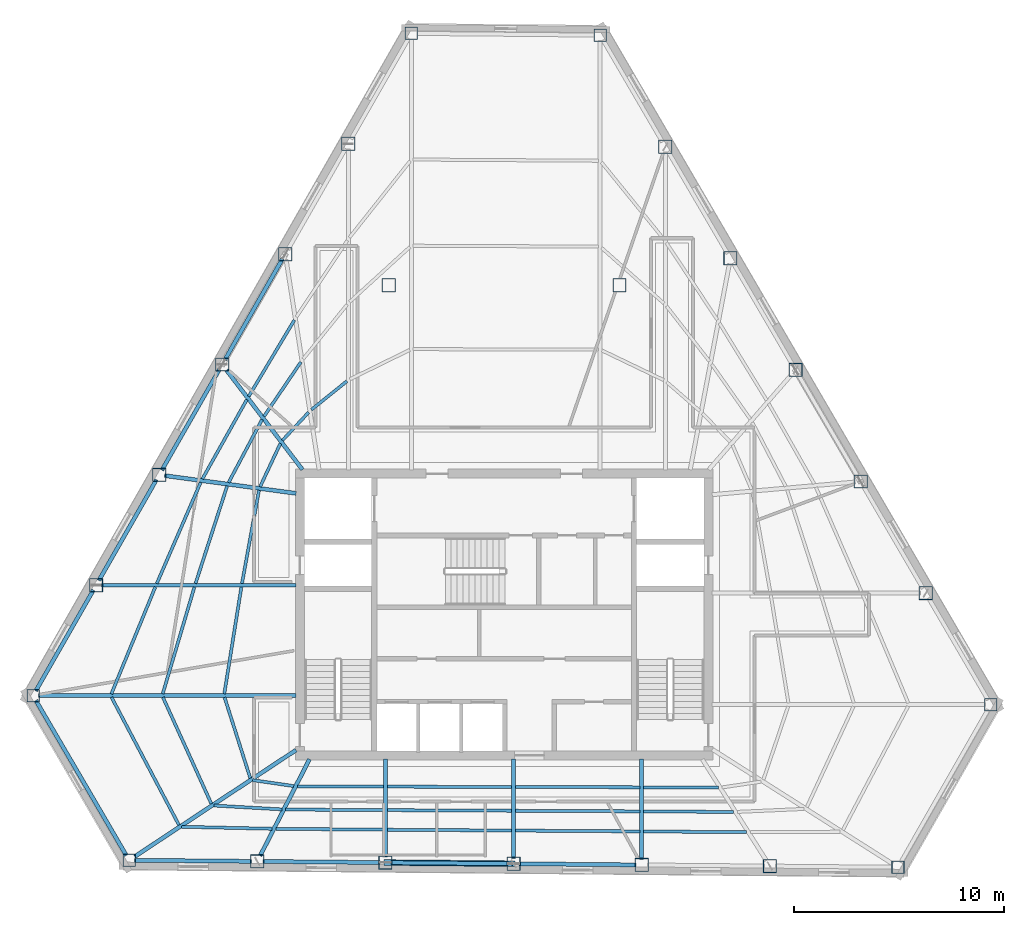
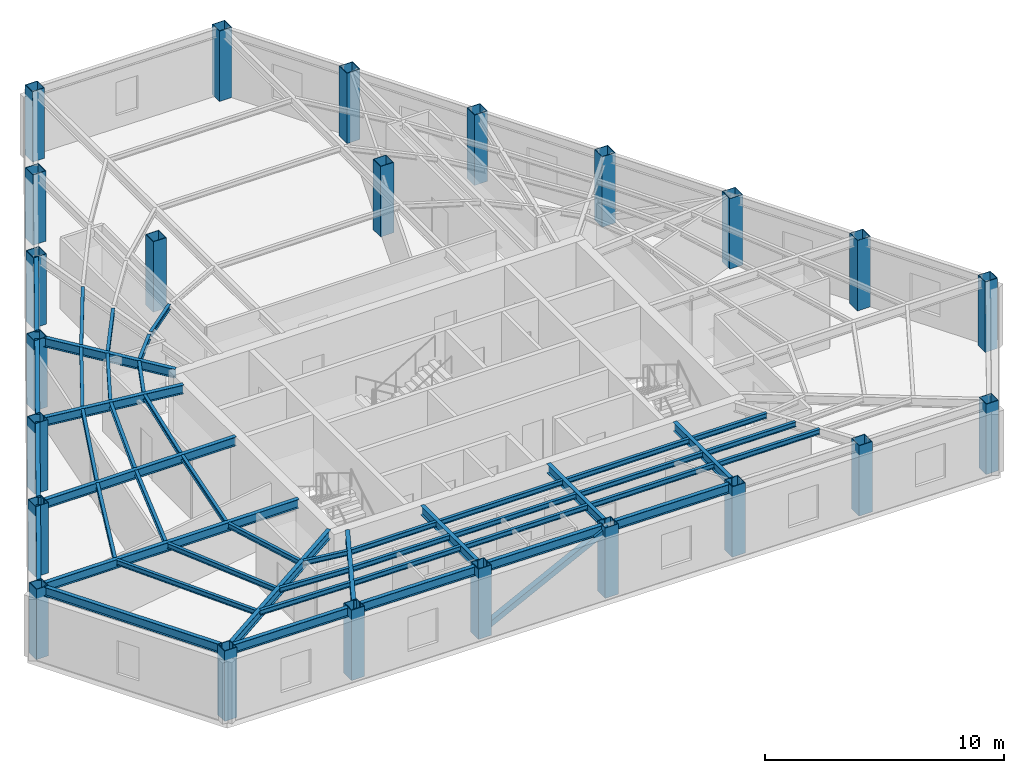
# One storey, part 1 of 10: 49 beams, 23 columns, 1 member.
"""IFC4 building model written with IfcOpenShell, lengths in metres."""

from ifc_helpers import new_model, si_unit, direction, frame, origin, origin_2d, place, context, subcontext, project, spatial, hollow_rectangle, i_section, extrude, material, material_profile, profile_set, type_object, element, save


model = new_model("IFC4")

# Units and contexts
model_context = context("Model", 3, precision=1e-05, world=origin(), true_north=direction((0.0, 1.0)))
body_context = subcontext(model_context, "Body", "Model", "MODEL_VIEW")
ifc_project = project(units=[si_unit("LENGTHUNIT", "METRE"), si_unit("AREAUNIT", "SQUARE_METRE"), si_unit("VOLUMEUNIT", "CUBIC_METRE"), si_unit("PLANEANGLEUNIT", "RADIAN"), si_unit("MASSUNIT", "GRAM", prefix="KILO")], contexts=[model_context])

# Site, building, storey
site_placement = place(None, origin())
site = spatial("IfcSite", under=ifc_project, at=site_placement, CompositionType="ELEMENT")
building_placement = place(site_placement, origin())
building = spatial("IfcBuilding", under=site, at=building_placement, Name="Kavelnor Concourse Tower", CompositionType="ELEMENT")
storey_placement = place(building_placement, frame((0.0, 0.0, 180.39990234375)))
storey = spatial("IfcBuildingStorey", under=building, at=storey_placement, Name="L45", CompositionType="ELEMENT", Elevation=180.39990234375)

# Columns
ifc_material = material(Name="Steel Grade 350", Category="steel")
ifc_material_profile_1 = material_profile(ifc_material, hollow_rectangle(XDim=0.60009765625, YDim=0.60009765625, WallThickness=0.028076171875, at=origin_2d()), Name="SHS 600x600x28")
ifc_profile_set_1 = profile_set([ifc_material_profile_1], Name="Steel Grade 350")
column_type_1 = type_object("IfcColumnType", Name="COL-FOLD-Z3", PredefinedType="COLUMN", material=ifc_profile_set_1)
for number, where, z_axis, x_axis, name in (
    (1, (33.572265625, 43.81005859375, 0.0), (0.0, 0.0, 1.0), (1.0, 0.0, 0.0), "L45 Perimeter Corner-Fold Column F0-B0"),
    (2, (15.53515625, 12.23291015625, 0.0), (0.0, 0.0, 1.0), (1.0, 0.0, 0.0), "L45 Perimeter Corner-Fold Column F0-B6"),
    (3, (20.11474609375, 4.38330078125, 0.0), (0.0, 0.0, 1.0), (1.0, 0.0, 0.0), "L45 Perimeter Corner-Fold Column F1-B0"),
    (4, (56.77978515625, 4.04736328125, 0.0), (0.0, 0.0, 1.0), (1.0, 0.0, 0.0), "L45 Perimeter Corner-Fold Column F1-B6"),
    (5, (61.207763671875, 11.799072265625, 0.0), (0.0, 0.0, 1.0), (1.0, 0.0, 0.0), "L45 Perimeter Corner-Fold Column F2-B0"),
    (6, (42.57958984375, 43.727294921875, 0.0), (0.0, 0.0, 1.0), (1.0, 0.0, 0.0), "L45 Perimeter Corner-Fold Column F2-B6"),
):
    element("IfcColumn", number, at=place(storey_placement, frame(where, z_axis=z_axis, x_axis=x_axis)), inside=storey, type_object=column_type_1, Name=name, PredefinedType="COLUMN", context=body_context, shape_type="SweptSolid", body=[
        extrude(hollow_rectangle(XDim=0.60009765625, YDim=0.60009765625, WallThickness=0.028076171875, at=origin_2d()), origin(), (0.0, 0.0, 1.0), 3.60009765625),
    ])
ifc_material_profile_2 = material_profile(ifc_material, hollow_rectangle(XDim=0.639892578125, YDim=0.639892578125, WallThickness=0.028076171875, at=origin_2d()), Name="SHS 640x640x28")
ifc_profile_set_2 = profile_set([ifc_material_profile_2], Name="Steel Grade 350")
column_type_2 = type_object("IfcColumnType", Name="COL-TUBE-Z3", PredefinedType="COLUMN", material=ifc_profile_set_2)
for number, where, z_axis, x_axis, name in (
    (7, (30.56591796875, 38.547119140625, 0.0), (0.0, 0.0, 1.0), (1.0, 0.0, 0.0), "L45 Perimeter Framed-Tube Column F0-B1"),
    (8, (27.559814453125, 33.2841796875, 0.0), (0.0, 0.0, 1.0), (1.0, 0.0, 0.0), "L45 Perimeter Framed-Tube Column F0-B2"),
    (9, (24.5537109375, 28.021484375, 0.0), (0.0, 0.0, 1.0), (1.0, 0.0, 0.0), "L45 Perimeter Framed-Tube Column F0-B3"),
    (10, (21.547607421875, 22.758544921875, 0.0), (0.0, 0.0, 1.0), (1.0, 0.0, 0.0), "L45 Perimeter Framed-Tube Column F0-B4"),
    (11, (18.54150390625, 17.495849609375, 0.0), (0.0, 0.0, 1.0), (1.0, 0.0, 0.0), "L45 Perimeter Framed-Tube Column F0-B5"),
    (12, (26.2255859375, 4.327392578125, 0.0), (0.0, 0.0, 1.0), (1.0, 0.0, 0.0), "L45 Perimeter Framed-Tube Column F1-B1"),
    (13, (32.33642578125, 4.271484375, 0.0), (0.0, 0.0, 1.0), (1.0, 0.0, 0.0), "L45 Perimeter Framed-Tube Column F1-B2"),
    (14, (38.447509765625, 4.21533203125, 0.0), (0.0, 0.0, 1.0), (1.0, 0.0, 0.0), "L45 Perimeter Framed-Tube Column F1-B3"),
    (15, (44.55810546875, 4.1591796875, 0.0), (0.0, 0.0, 1.0), (1.0, 0.0, 0.0), "L45 Perimeter Framed-Tube Column F1-B4"),
    (16, (50.6689453125, 4.103271484375, 0.0), (0.0, 0.0, 1.0), (1.0, 0.0, 0.0), "L45 Perimeter Framed-Tube Column F1-B5"),
    (17, (58.10302734375, 17.120361328125, 0.0), (0.0, 0.0, 1.0), (1.0, 0.0, 0.0), "L45 Perimeter Framed-Tube Column F2-B1"),
    (18, (54.998291015625, 22.44189453125, 0.0), (0.0, 0.0, 1.0), (1.0, 0.0, 0.0), "L45 Perimeter Framed-Tube Column F2-B2"),
    (19, (51.893798828125, 27.76318359375, 0.0), (0.0, 0.0, 1.0), (1.0, 0.0, 0.0), "L45 Perimeter Framed-Tube Column F2-B3"),
    (20, (48.7890625, 33.084716796875, 0.0), (0.0, 0.0, 1.0), (1.0, 0.0, 0.0), "L45 Perimeter Framed-Tube Column F2-B4"),
    (21, (45.684326171875, 38.406005859375, 0.0), (0.0, 0.0, 1.0), (1.0, 0.0, 0.0), "L45 Perimeter Framed-Tube Column F2-B5"),
    (22, (32.5, 31.800048828125, 0.0), (0.0, 0.0, 1.0), (1.0, 0.0, 0.0), "L45 North Interior Gravity Column BC-NW"),
    (23, (43.5, 31.800048828125, 0.0), (0.0, 0.0, 1.0), (1.0, 0.0, 0.0), "L45 North Interior Gravity Column BC-NE"),
):
    element("IfcColumn", number, at=place(storey_placement, frame(where, z_axis=z_axis, x_axis=x_axis)), inside=storey, type_object=column_type_2, Name=name, PredefinedType="COLUMN", context=body_context, shape_type="SweptSolid", body=[
        extrude(hollow_rectangle(XDim=0.639892578125, YDim=0.639892578125, WallThickness=0.028076171875, at=origin_2d()), origin(), (0.0, 0.0, 1.0), 3.60009765625),
    ])

# Beams
ifc_material_profile_3 = material_profile(ifc_material, i_section(OverallWidth=0.14599609375, OverallDepth=0.256103515625, WebThickness=0.00634765625, FlangeThickness=0.010986328125, at=origin_2d()), Name="250UB37")
ifc_profile_set_3 = profile_set([ifc_material_profile_3], Name="Steel Grade 350")
beam_type_1 = type_object("IfcBeamType", Name="BM-JOIST-250", PredefinedType="JOIST", material=ifc_profile_set_3)
beam_1_placement = place(storey_placement, frame((24.667236328125, 12.148193359375, 3.47216796875), z_axis=(0.303430728848, -0.952853500173, 0.0), x_axis=(0.952853500173, 0.303430728848, 0.0)))
element("IfcBeam", 24, at=beam_1_placement, inside=storey, type_object=beam_type_1, Name="L45 Secondary Composite Joist 01-1", PredefinedType="JOIST", context=body_context, shape_type="SweptSolid", body=[
    extrude(i_section(OverallWidth=0.14599609375, OverallDepth=0.256103515625, WebThickness=0.00634765625, FlangeThickness=0.010986328125, at=origin_2d()), origin(), (0.0, 0.0, 1.0), 4.038330078125),
])
beam_2_placement = place(storey_placement, frame((21.728759765625, 12.15185546875, 3.47216796875), z_axis=(0.414027324102, -0.910264453275, 0.0), x_axis=(0.910264453275, 0.414027324102, 0.0)))
element("IfcBeam", 25, at=beam_2_placement, inside=storey, type_object=beam_type_1, Name="L45 Secondary Composite Joist 01-2", PredefinedType="JOIST", context=body_context, shape_type="SweptSolid", body=[
    extrude(i_section(OverallWidth=0.14599609375, OverallDepth=0.256103515625, WebThickness=0.00634765625, FlangeThickness=0.010986328125, at=origin_2d()), origin(), (0.0, 0.0, 1.0), 5.57421875),
])
beam_3_placement = place(storey_placement, frame((19.276611328125, 12.154296875, 3.47216796875), z_axis=(0.466816344471, -0.884354284512, 0.0), x_axis=(0.884354284512, 0.466816344471, 0.0)))
element("IfcBeam", 26, at=beam_3_placement, inside=storey, type_object=beam_type_1, Name="L45 Secondary Composite Joist 01-3", PredefinedType="JOIST", context=body_context, shape_type="SweptSolid", body=[
    extrude(i_section(OverallWidth=0.14599609375, OverallDepth=0.256103515625, WebThickness=0.00634765625, FlangeThickness=0.010986328125, at=origin_2d()), origin(), (0.0, 0.0, 1.0), 6.891357421875),
])
beam_4_placement = place(storey_placement, frame((26.0078125, 8.202880859375, 3.47216796875), z_axis=(0.989673790529, -0.143338021263, 0.0), x_axis=(0.143338021263, 0.989673790529, 0.0)))
element("IfcBeam", 27, at=beam_4_placement, inside=storey, type_object=beam_type_1, Name="L45 Secondary Composite Joist 02-1", PredefinedType="JOIST", context=body_context, shape_type="SweptSolid", body=[
    extrude(i_section(OverallWidth=0.14599609375, OverallDepth=0.256103515625, WebThickness=0.00634765625, FlangeThickness=0.010986328125, at=origin_2d()), origin(), (0.0, 0.0, 1.0), 1.979248046875),
])
beam_5_placement = place(storey_placement, frame((24.162353515625, 6.99169921875, 3.47216796875), z_axis=(0.998371579355, -0.057045504082, 0.0), x_axis=(0.057045504082, 0.998371579355, 0.0)))
element("IfcBeam", 28, at=beam_5_placement, inside=storey, type_object=beam_type_1, Name="L45 Secondary Composite Joist 02-2", PredefinedType="JOIST", context=body_context, shape_type="SweptSolid", body=[
    extrude(i_section(OverallWidth=0.14599609375, OverallDepth=0.256103515625, WebThickness=0.00634765625, FlangeThickness=0.010986328125, at=origin_2d()), origin(), (0.0, 0.0, 1.0), 3.244140625),
])
beam_6_placement = place(storey_placement, frame((22.6240234375, 5.979248046875, 3.47216796875), z_axis=(0.999749358505, -0.02238794697, 0.0), x_axis=(0.02238794697, 0.999749358505, 0.0)))
element("IfcBeam", 29, at=beam_6_placement, inside=storey, type_object=beam_type_1, Name="L45 Secondary Composite Joist 02-3", PredefinedType="JOIST", context=body_context, shape_type="SweptSolid", body=[
    extrude(i_section(OverallWidth=0.14599609375, OverallDepth=0.256103515625, WebThickness=0.00634765625, FlangeThickness=0.010986328125, at=origin_2d()), origin(), (0.0, 0.0, 1.0), 4.307373046875),
])
beam_7_placement = place(storey_placement, frame((28.1435546875, 7.90625, 3.47216796875), z_axis=(0.999994840368, -0.003212357012, 0.0), x_axis=(0.003212357012, 0.999994840368, 0.0)))
element("IfcBeam", 30, at=beam_7_placement, inside=storey, type_object=beam_type_1, Name="L45 Secondary Composite Joist 03-1", PredefinedType="JOIST", context=body_context, shape_type="SweptSolid", body=[
    extrude(i_section(OverallWidth=0.14599609375, OverallDepth=0.256103515625, WebThickness=0.00634765625, FlangeThickness=0.010986328125, at=origin_2d()), origin(), (0.0, 0.0, 1.0), 4.10400390625),
])
beam_8_placement = place(storey_placement, frame((27.5791015625, 6.801025390625, 3.47216796875), z_axis=(0.999981916301, -0.006013906515, 0.0), x_axis=(0.006013906515, 0.999981916301, 0.0)))
element("IfcBeam", 31, at=beam_8_placement, inside=storey, type_object=beam_type_1, Name="L45 Secondary Composite Joist 03-2", PredefinedType="JOIST", context=body_context, shape_type="SweptSolid", body=[
    extrude(i_section(OverallWidth=0.14599609375, OverallDepth=0.256103515625, WebThickness=0.00634765625, FlangeThickness=0.010986328125, at=origin_2d()), origin(), (0.0, 0.0, 1.0), 4.66845703125),
])
beam_9_placement = place(storey_placement, frame((27.1083984375, 5.880126953125, 3.47216796875), z_axis=(0.99996853134, -0.00793324203, 0.0), x_axis=(0.00793324203, 0.99996853134, 0.0)))
element("IfcBeam", 32, at=beam_9_placement, inside=storey, type_object=beam_type_1, Name="L45 Secondary Composite Joist 03-3", PredefinedType="JOIST", context=body_context, shape_type="SweptSolid", body=[
    extrude(i_section(OverallWidth=0.14599609375, OverallDepth=0.256103515625, WebThickness=0.00634765625, FlangeThickness=0.010986328125, at=origin_2d()), origin(), (0.0, 0.0, 1.0), 5.139404296875),
])
for number, where, z_axis, x_axis, name in (
    (33, (32.425537109375, 7.892578125, 3.47216796875), (0.999996639525, -0.002592477194, 0.0), (0.002592477194, 0.999996639525, 0.0), "L45 Secondary Composite Joist 04-1"),
    (34, (32.425537109375, 6.77197265625, 3.47216796875), (0.999988607205, -0.004773411729, 0.0), (0.004773411729, 0.999988607205, 0.0), "L45 Secondary Composite Joist 04-2"),
):
    element("IfcBeam", number, at=place(storey_placement, frame(where, z_axis=z_axis, x_axis=x_axis)), inside=storey, type_object=beam_type_1, Name=name, PredefinedType="JOIST", context=body_context, shape_type="SweptSolid", body=[
        extrude(i_section(OverallWidth=0.14599609375, OverallDepth=0.256103515625, WebThickness=0.00634765625, FlangeThickness=0.010986328125, at=origin_2d()), origin(), (0.0, 0.0, 1.0), 5.932861328125),
    ])
beam_10_placement = place(storey_placement, frame((32.425537109375, 5.837890625, 3.47216796875), z_axis=(0.999978325576, -0.006583948483, 0.0), x_axis=(0.006583948483, 0.999978325576, 0.0)))
element("IfcBeam", 35, at=beam_10_placement, inside=storey, type_object=beam_type_1, Name="L45 Secondary Composite Joist 04-3", PredefinedType="JOIST", context=body_context, shape_type="SweptSolid", body=[
    extrude(i_section(OverallWidth=0.14599609375, OverallDepth=0.256103515625, WebThickness=0.00634765625, FlangeThickness=0.010986328125, at=origin_2d()), origin(), (0.0, 0.0, 1.0), 5.93310546875),
])
for number, where, z_axis, x_axis, name in (
    (36, (38.536376953125, 7.876953125, 3.47216796875), (0.999996639525, -0.002592477194, 0.0), (0.002592477194, 0.999996639525, 0.0), "L45 Secondary Composite Joist 05-1"),
    (37, (38.536376953125, 6.74267578125, 3.47216796875), (0.999988802783, -0.004732262554, 0.0), (0.004732262554, 0.999988802783, 0.0), "L45 Secondary Composite Joist 05-2"),
):
    element("IfcBeam", number, at=place(storey_placement, frame(where, z_axis=z_axis, x_axis=x_axis)), inside=storey, type_object=beam_type_1, Name=name, PredefinedType="JOIST", context=body_context, shape_type="SweptSolid", body=[
        extrude(i_section(OverallWidth=0.14599609375, OverallDepth=0.256103515625, WebThickness=0.00634765625, FlangeThickness=0.010986328125, at=origin_2d()), origin(), (0.0, 0.0, 1.0), 5.932861328125),
    ])
beam_11_placement = place(storey_placement, frame((38.536376953125, 5.797607421875, 3.47216796875), z_axis=(0.999978325576, -0.006583948483, 0.0), x_axis=(0.006583948483, 0.999978325576, 0.0)))
element("IfcBeam", 38, at=beam_11_placement, inside=storey, type_object=beam_type_1, Name="L45 Secondary Composite Joist 05-3", PredefinedType="JOIST", context=body_context, shape_type="SweptSolid", body=[
    extrude(i_section(OverallWidth=0.14599609375, OverallDepth=0.256103515625, WebThickness=0.00634765625, FlangeThickness=0.010986328125, at=origin_2d()), origin(), (0.0, 0.0, 1.0), 5.93310546875),
])
beam_12_placement = place(storey_placement, frame((44.647216796875, 7.861083984375, 3.47216796875), z_axis=(0.999987848666, -0.004929758651, 0.0), x_axis=(0.004929758651, 0.999987848666, 0.0)))
element("IfcBeam", 39, at=beam_12_placement, inside=storey, type_object=beam_type_1, Name="L45 Secondary Composite Joist 06-1", PredefinedType="JOIST", context=body_context, shape_type="SweptSolid", body=[
    extrude(i_section(OverallWidth=0.14599609375, OverallDepth=0.256103515625, WebThickness=0.00634765625, FlangeThickness=0.010986328125, at=origin_2d()), origin(), (0.0, 0.0, 1.0), 3.565673828125),
])
beam_13_placement = place(storey_placement, frame((44.647216796875, 6.71337890625, 3.47216796875), z_axis=(0.999979405903, -0.0064177698, 0.0), x_axis=(0.0064177698, 0.999979405903, 0.0)))
element("IfcBeam", 40, at=beam_13_placement, inside=storey, type_object=beam_type_1, Name="L45 Secondary Composite Joist 06-2", PredefinedType="JOIST", context=body_context, shape_type="SweptSolid", body=[
    extrude(i_section(OverallWidth=0.14599609375, OverallDepth=0.256103515625, WebThickness=0.00634765625, FlangeThickness=0.010986328125, at=origin_2d()), origin(), (0.0, 0.0, 1.0), 4.298583984375),
])
beam_14_placement = place(storey_placement, frame((44.647216796875, 5.757080078125, 3.47216796875), z_axis=(0.999972914426, -0.007360055268, 0.0), x_axis=(0.007360055268, 0.999972914426, 0.0)))
element("IfcBeam", 41, at=beam_14_placement, inside=storey, type_object=beam_type_1, Name="L45 Secondary Composite Joist 06-3", PredefinedType="JOIST", context=body_context, shape_type="SweptSolid", body=[
    extrude(i_section(OverallWidth=0.14599609375, OverallDepth=0.256103515625, WebThickness=0.00634765625, FlangeThickness=0.010986328125, at=origin_2d()), origin(), (0.0, 0.0, 1.0), 4.909423828125),
])
beam_15_placement = place(storey_placement, frame((30.49658203125, 27.224609375, 3.47216796875), z_axis=(-0.779089338123, -0.626912915183, 0.0), x_axis=(0.626912915183, -0.779089338123, 0.0)))
element("IfcBeam", 42, at=beam_15_placement, inside=storey, type_object=beam_type_1, Name="L45 Secondary Composite Joist 17-1", PredefinedType="JOIST", context=body_context, shape_type="SweptSolid", body=[
    extrude(i_section(OverallWidth=0.14599609375, OverallDepth=0.256103515625, WebThickness=0.00634765625, FlangeThickness=0.010986328125, at=origin_2d()), origin(), (0.0, 0.0, 1.0), 2.17236328125),
])
beam_16_placement = place(storey_placement, frame((28.674072265625, 25.741943359375, 3.47216796875), z_axis=(-0.681167142073, -0.732127942753, 0.0), x_axis=(0.732127942753, -0.681167142073, 0.0)))
element("IfcBeam", 43, at=beam_16_placement, inside=storey, type_object=beam_type_1, Name="L45 Secondary Composite Joist 18-1", PredefinedType="JOIST", context=body_context, shape_type="SweptSolid", body=[
    extrude(i_section(OverallWidth=0.14599609375, OverallDepth=0.256103515625, WebThickness=0.00634765625, FlangeThickness=0.010986328125, at=origin_2d()), origin(), (0.0, 0.0, 1.0), 1.830078125),
])
beam_17_placement = place(storey_placement, frame((28.306640625, 28.138916015625, 3.47216796875), z_axis=(-0.561949486016, -0.827171551231, 0.0), x_axis=(0.827171551231, -0.561949486016, 0.0)))
element("IfcBeam", 44, at=beam_17_placement, inside=storey, type_object=beam_type_1, Name="L45 Secondary Composite Joist 18-2", PredefinedType="JOIST", context=body_context, shape_type="SweptSolid", body=[
    extrude(i_section(OverallWidth=0.14599609375, OverallDepth=0.256103515625, WebThickness=0.00634765625, FlangeThickness=0.010986328125, at=origin_2d()), origin(), (0.0, 0.0, 1.0), 3.130615234375),
])
beam_18_placement = place(storey_placement, frame((27.99609375, 30.140869140625, 3.47216796875), z_axis=(-0.513377976738, -0.858162602891, 0.0), x_axis=(0.858162602891, -0.513377976738, 0.0)))
element("IfcBeam", 45, at=beam_18_placement, inside=storey, type_object=beam_type_1, Name="L45 Secondary Composite Joist 18-3", PredefinedType="JOIST", context=body_context, shape_type="SweptSolid", body=[
    extrude(i_section(OverallWidth=0.14599609375, OverallDepth=0.256103515625, WebThickness=0.00634765625, FlangeThickness=0.010986328125, at=origin_2d()), origin(), (0.0, 0.0, 1.0), 4.241455078125),
])
beam_19_placement = place(storey_placement, frame((27.3291015625, 24.25634765625, 3.47216796875), z_axis=(-0.42474406408, -0.905313470588, 0.0), x_axis=(0.905313470588, -0.42474406408, 0.0)))
element("IfcBeam", 46, at=beam_19_placement, inside=storey, type_object=beam_type_1, Name="L45 Secondary Composite Joist 19-1", PredefinedType="JOIST", context=body_context, shape_type="SweptSolid", body=[
    extrude(i_section(OverallWidth=0.14599609375, OverallDepth=0.256103515625, WebThickness=0.00634765625, FlangeThickness=0.010986328125, at=origin_2d()), origin(), (0.0, 0.0, 1.0), 2.278564453125),
])
beam_20_placement = place(storey_placement, frame((26.45556640625, 25.397216796875, 3.47216796875), z_axis=(-0.46927948081, -0.88304969786, 0.0), x_axis=(0.88304969786, -0.46927948081, 0.0)))
element("IfcBeam", 47, at=beam_20_placement, inside=storey, type_object=beam_type_1, Name="L45 Secondary Composite Joist 19-2", PredefinedType="JOIST", context=body_context, shape_type="SweptSolid", body=[
    extrude(i_section(OverallWidth=0.14599609375, OverallDepth=0.256103515625, WebThickness=0.00634765625, FlangeThickness=0.010986328125, at=origin_2d()), origin(), (0.0, 0.0, 1.0), 3.39990234375),
])
beam_21_placement = place(storey_placement, frame((25.729248046875, 26.346923828125, 3.47216796875), z_axis=(-0.489170569089, -0.872188141594, 0.0), x_axis=(0.872188141594, -0.489170569089, 0.0)))
element("IfcBeam", 48, at=beam_21_placement, inside=storey, type_object=beam_type_1, Name="L45 Secondary Composite Joist 19-3", PredefinedType="JOIST", context=body_context, shape_type="SweptSolid", body=[
    extrude(i_section(OverallWidth=0.14599609375, OverallDepth=0.256103515625, WebThickness=0.00634765625, FlangeThickness=0.010986328125, at=origin_2d()), origin(), (0.0, 0.0, 1.0), 4.337646484375),
])
beam_22_placement = place(storey_placement, frame((26.3076171875, 22.025390625, 3.47216796875), z_axis=(-0.179304158852, -0.983793687019, 0.0), x_axis=(0.983793687019, -0.179304158852, 0.0)))
element("IfcBeam", 49, at=beam_22_placement, inside=storey, type_object=beam_type_1, Name="L45 Secondary Composite Joist 20-1", PredefinedType="JOIST", context=body_context, shape_type="SweptSolid", body=[
    extrude(i_section(OverallWidth=0.14599609375, OverallDepth=0.256103515625, WebThickness=0.00634765625, FlangeThickness=0.010986328125, at=origin_2d()), origin(), (0.0, 0.0, 1.0), 4.51513671875),
])
beam_23_placement = place(storey_placement, frame((24.791015625, 22.231689453125, 3.47216796875), z_axis=(-0.308472950673, -0.951233114806, 0.0), x_axis=(0.951233114806, -0.308472950673, 0.0)))
element("IfcBeam", 50, at=beam_23_placement, inside=storey, type_object=beam_type_1, Name="L45 Secondary Composite Joist 20-2", PredefinedType="JOIST", context=body_context, shape_type="SweptSolid", body=[
    extrude(i_section(OverallWidth=0.14599609375, OverallDepth=0.256103515625, WebThickness=0.00634765625, FlangeThickness=0.010986328125, at=origin_2d()), origin(), (0.0, 0.0, 1.0), 4.8896484375),
])
beam_24_placement = place(storey_placement, frame((23.528564453125, 22.404296875, 3.47216796875), z_axis=(-0.397942077318, -0.917410542287, 0.0), x_axis=(0.917410542287, -0.397942077318, 0.0)))
element("IfcBeam", 51, at=beam_24_placement, inside=storey, type_object=beam_type_1, Name="L45 Secondary Composite Joist 20-3", PredefinedType="JOIST", context=body_context, shape_type="SweptSolid", body=[
    extrude(i_section(OverallWidth=0.14599609375, OverallDepth=0.256103515625, WebThickness=0.00634765625, FlangeThickness=0.010986328125, at=origin_2d()), origin(), (0.0, 0.0, 1.0), 5.261474609375),
])
beam_25_placement = place(storey_placement, frame((25.468017578125, 17.407958984375, 3.47216796875), z_axis=(-0.157947991205, -0.987447432563, 0.0), x_axis=(0.987447432563, -0.157947991205, 0.0)))
element("IfcBeam", 52, at=beam_25_placement, inside=storey, type_object=beam_type_1, Name="L45 Secondary Composite Joist 21-1", PredefinedType="JOIST", context=body_context, shape_type="SweptSolid", body=[
    extrude(i_section(OverallWidth=0.14599609375, OverallDepth=0.256103515625, WebThickness=0.00634765625, FlangeThickness=0.010986328125, at=origin_2d()), origin(), (0.0, 0.0, 1.0), 5.15185546875),
])
beam_26_placement = place(storey_placement, frame((23.229736328125, 17.410400390625, 3.47216796875), z_axis=(-0.284715756442, -0.958611985129, 0.0), x_axis=(0.958611985129, -0.284715756442, 0.0)))
element("IfcBeam", 53, at=beam_26_placement, inside=storey, type_object=beam_type_1, Name="L45 Secondary Composite Joist 21-2", PredefinedType="JOIST", context=body_context, shape_type="SweptSolid", body=[
    extrude(i_section(OverallWidth=0.14599609375, OverallDepth=0.256103515625, WebThickness=0.00634765625, FlangeThickness=0.010986328125, at=origin_2d()), origin(), (0.0, 0.0, 1.0), 5.312255859375),
])
beam_27_placement = place(storey_placement, frame((21.365478515625, 17.41357421875, 3.47216796875), z_axis=(-0.380337687694, -0.924847686552, 0.0), x_axis=(0.924847686552, -0.380337687694, 0.0)))
element("IfcBeam", 54, at=beam_27_placement, inside=storey, type_object=beam_type_1, Name="L45 Secondary Composite Joist 21-3", PredefinedType="JOIST", context=body_context, shape_type="SweptSolid", body=[
    extrude(i_section(OverallWidth=0.14599609375, OverallDepth=0.256103515625, WebThickness=0.00634765625, FlangeThickness=0.010986328125, at=origin_2d()), origin(), (0.0, 0.0, 1.0), 5.5126953125),
])
ifc_material_profile_4 = material_profile(ifc_material, i_section(OverallWidth=0.18994140625, OverallDepth=0.4541015625, WebThickness=0.008544921875, FlangeThickness=0.0126953125, at=origin_2d()), Name="460UB67")
ifc_profile_set_4 = profile_set([ifc_material_profile_4], Name="Steel Grade 350")
beam_type_2 = type_object("IfcBeamType", Name="BM-PRIMARY-460", PredefinedType="BEAM", material=ifc_profile_set_4)
beam_28_placement = place(storey_placement, frame((28.381103515625, 23.00830078125, 3.373046875), z_axis=(-0.606809330939, 0.794847429313, 0.0), x_axis=(-0.794847429313, -0.606809330939, 0.0)))
element("IfcBeam", 55, at=beam_28_placement, inside=storey, type_object=beam_type_2, Name="L45 Primary Floor Girder F0-B3", PredefinedType="BEAM", context=body_context, shape_type="SweptSolid", body=[
    extrude(i_section(OverallWidth=0.18994140625, OverallDepth=0.4541015625, WebThickness=0.008544921875, FlangeThickness=0.0126953125, at=origin_2d()), origin(), (0.0, 0.0, 1.0), 5.9697265625),
])
beam_29_placement = place(storey_placement, frame((28.07958984375, 21.875732421875, 3.373046875), z_axis=(-0.990989801266, 0.133937350228, 0.0), x_axis=(-0.133937350228, -0.990989801266, 0.0)))
element("IfcBeam", 56, at=beam_29_placement, inside=storey, type_object=beam_type_2, Name="L45 Primary Floor Girder F0-B4", PredefinedType="BEAM", context=body_context, shape_type="SweptSolid", body=[
    extrude(i_section(OverallWidth=0.18994140625, OverallDepth=0.4541015625, WebThickness=0.008544921875, FlangeThickness=0.0126953125, at=origin_2d()), origin(), (0.0, 0.0, 1.0), 6.328857421875),
])
beam_30_placement = place(storey_placement, frame((28.080078125, 17.495849609375, 3.373046875), z_axis=(-1.0, 0.0, 0.0), x_axis=(0.0, -1.0, 0.0)))
element("IfcBeam", 57, at=beam_30_placement, inside=storey, type_object=beam_type_2, Name="L45 Primary Floor Girder F0-B5", PredefinedType="BEAM", context=body_context, shape_type="SweptSolid", body=[
    extrude(i_section(OverallWidth=0.18994140625, OverallDepth=0.4541015625, WebThickness=0.008544921875, FlangeThickness=0.0126953125, at=origin_2d()), origin(), (0.0, 0.0, 1.0), 9.278564453125),
])
beam_31_placement = place(storey_placement, frame((28.080078125, 12.23291015625, 3.373046875), z_axis=(-1.0, 0.0, 0.0), x_axis=(0.0, -1.0, 0.0)))
element("IfcBeam", 58, at=beam_31_placement, inside=storey, type_object=beam_type_2, Name="L45 Primary Floor Girder F0-B6", PredefinedType="BEAM", context=body_context, shape_type="SweptSolid", body=[
    extrude(i_section(OverallWidth=0.18994140625, OverallDepth=0.4541015625, WebThickness=0.008544921875, FlangeThickness=0.0126953125, at=origin_2d()), origin(), (0.0, 0.0, 1.0), 12.284912109375),
])
beam_32_placement = place(storey_placement, frame((28.073486328125, 9.637451171875, 3.373046875), z_axis=(-0.834543886542, -0.550941468248, 0.0), x_axis=(0.550941468248, -0.834543886542, 0.0)))
element("IfcBeam", 59, at=beam_32_placement, inside=storey, type_object=beam_type_2, Name="L45 Primary Floor Girder F1-B0", PredefinedType="BEAM", context=body_context, shape_type="SweptSolid", body=[
    extrude(i_section(OverallWidth=0.18994140625, OverallDepth=0.4541015625, WebThickness=0.008544921875, FlangeThickness=0.0126953125, at=origin_2d()), origin(), (0.0, 0.0, 1.0), 9.21728515625),
])
beam_33_placement = place(storey_placement, frame((28.71337890625, 9.195556640625, 3.373046875), z_axis=(-0.455072786725, -0.890454242947, 0.0), x_axis=(0.890454242947, -0.455072786725, 0.0)))
element("IfcBeam", 60, at=beam_33_placement, inside=storey, type_object=beam_type_2, Name="L45 Primary Floor Girder F1-B1", PredefinedType="BEAM", context=body_context, shape_type="SweptSolid", body=[
    extrude(i_section(OverallWidth=0.18994140625, OverallDepth=0.4541015625, WebThickness=0.008544921875, FlangeThickness=0.0126953125, at=origin_2d()), origin(), (0.0, 0.0, 1.0), 5.170166015625),
])
beam_34_placement = place(storey_placement, frame((32.33642578125, 9.199951171875, 3.373046875), z_axis=(0.0, -1.0, 0.0), x_axis=(1.0, 0.0, 0.0)))
element("IfcBeam", 61, at=beam_34_placement, inside=storey, type_object=beam_type_2, Name="L45 Primary Floor Girder F1-B2", PredefinedType="BEAM", context=body_context, shape_type="SweptSolid", body=[
    extrude(i_section(OverallWidth=0.18994140625, OverallDepth=0.4541015625, WebThickness=0.008544921875, FlangeThickness=0.0126953125, at=origin_2d()), origin(), (0.0, 0.0, 1.0), 4.66845703125),
])
beam_35_placement = place(storey_placement, frame((38.447509765625, 9.199951171875, 3.373046875), z_axis=(0.0, -1.0, 0.0), x_axis=(1.0, 0.0, 0.0)))
element("IfcBeam", 62, at=beam_35_placement, inside=storey, type_object=beam_type_2, Name="L45 Primary Floor Girder F1-B3", PredefinedType="BEAM", context=body_context, shape_type="SweptSolid", body=[
    extrude(i_section(OverallWidth=0.18994140625, OverallDepth=0.4541015625, WebThickness=0.008544921875, FlangeThickness=0.0126953125, at=origin_2d()), origin(), (0.0, 0.0, 1.0), 4.724609375),
])
beam_36_placement = place(storey_placement, frame((44.55810546875, 9.199951171875, 3.373046875), z_axis=(0.0, -1.0, 0.0), x_axis=(1.0, 0.0, 0.0)))
element("IfcBeam", 63, at=beam_36_placement, inside=storey, type_object=beam_type_2, Name="L45 Primary Floor Girder F1-B4", PredefinedType="BEAM", context=body_context, shape_type="SweptSolid", body=[
    extrude(i_section(OverallWidth=0.18994140625, OverallDepth=0.4541015625, WebThickness=0.008544921875, FlangeThickness=0.0126953125, at=origin_2d()), origin(), (0.0, 0.0, 1.0), 4.78076171875),
])
ifc_material_profile_5 = material_profile(ifc_material, i_section(OverallWidth=0.19091796875, OverallDepth=0.4599609375, WebThickness=0.010009765625, FlangeThickness=0.01611328125, at=origin_2d()), Name="460UB82")
ifc_profile_set_5 = profile_set([ifc_material_profile_5], Name="Steel Grade 350")
beam_type_3 = type_object("IfcBeamType", Name="BM-SPANDREL-Z3", PredefinedType="SPANDREL", material=ifc_profile_set_5)
beam_37_placement = place(storey_placement, frame((27.428466796875, 33.05419921875, 3.3701171875), z_axis=(-0.496020090717, -0.868311044272, 0.0), x_axis=(0.868311044272, -0.496020090717, 0.0)))
element("IfcBeam", 64, at=beam_37_placement, inside=storey, type_object=beam_type_3, Name="L45 Perimeter Tube Spandrel Beam F0-B2", PredefinedType="SPANDREL", context=body_context, shape_type="SweptSolid", body=[
    extrude(i_section(OverallWidth=0.19091796875, OverallDepth=0.4599609375, WebThickness=0.010009765625, FlangeThickness=0.01611328125, at=origin_2d()), origin(), (0.0, 0.0, 1.0), 5.53076171875),
])
for number, where, z_axis, x_axis, name in (
    (65, (24.42236328125, 27.79150390625, 3.3701171875), (-0.496001079516, -0.868321904088, 0.0), (0.868321904088, -0.496001079516, 0.0), "L45 Perimeter Tube Spandrel Beam F0-B3"),
    (66, (21.416015625, 22.528564453125, 3.3701171875), (-0.495967797623, -0.868340914457, 0.0), (0.868340914457, -0.495967797623, 0.0), "L45 Perimeter Tube Spandrel Beam F0-B4"),
    (67, (18.409912109375, 17.265625, 3.3701171875), (-0.496001079516, -0.868321904088, 0.0), (0.868321904088, -0.496001079516, 0.0), "L45 Perimeter Tube Spandrel Beam F0-B5"),
):
    element("IfcBeam", number, at=place(storey_placement, frame(where, z_axis=z_axis, x_axis=x_axis)), inside=storey, type_object=beam_type_3, Name=name, PredefinedType="SPANDREL", context=body_context, shape_type="SweptSolid", body=[
        extrude(i_section(OverallWidth=0.19091796875, OverallDepth=0.4599609375, WebThickness=0.010009765625, FlangeThickness=0.01611328125, at=origin_2d()), origin(), (0.0, 0.0, 1.0), 5.531005859375),
    ])
beam_38_placement = place(storey_placement, frame((20.3798828125, 4.381103515625, 3.3701171875), z_axis=(0.99995780445, -0.009186365936, 0.0), x_axis=(0.009186365936, 0.99995780445, 0.0)))
element("IfcBeam", 68, at=beam_38_placement, inside=storey, type_object=beam_type_3, Name="L45 Perimeter Tube Spandrel Beam F1-B0", PredefinedType="SPANDREL", context=body_context, shape_type="SweptSolid", body=[
    extrude(i_section(OverallWidth=0.19091796875, OverallDepth=0.4599609375, WebThickness=0.010009765625, FlangeThickness=0.01611328125, at=origin_2d()), origin(), (0.0, 0.0, 1.0), 5.5810546875),
])
beam_39_placement = place(storey_placement, frame((26.490478515625, 4.324951171875, 3.3701171875), z_axis=(0.999957808142, -0.009185964117, 0.0), x_axis=(0.009185964117, 0.999957808142, 0.0)))
element("IfcBeam", 69, at=beam_39_placement, inside=storey, type_object=beam_type_3, Name="L45 Perimeter Tube Spandrel Beam F1-B1", PredefinedType="SPANDREL", context=body_context, shape_type="SweptSolid", body=[
    extrude(i_section(OverallWidth=0.19091796875, OverallDepth=0.4599609375, WebThickness=0.010009765625, FlangeThickness=0.01611328125, at=origin_2d()), origin(), (0.0, 0.0, 1.0), 5.581298828125),
])
for number, where, z_axis, x_axis, name in (
    (70, (32.6015625, 4.26904296875, 3.3701171875), (0.99995780445, -0.009186365936, 0.0), (0.009186365936, 0.99995780445, 0.0), "L45 Perimeter Tube Spandrel Beam F1-B2"),
    (71, (38.71240234375, 4.212890625, 3.3701171875), (0.99995780445, -0.009186365936, 0.0), (0.009186365936, 0.99995780445, 0.0), "L45 Perimeter Tube Spandrel Beam F1-B3"),
):
    element("IfcBeam", number, at=place(storey_placement, frame(where, z_axis=z_axis, x_axis=x_axis)), inside=storey, type_object=beam_type_3, Name=name, PredefinedType="SPANDREL", context=body_context, shape_type="SweptSolid", body=[
        extrude(i_section(OverallWidth=0.19091796875, OverallDepth=0.4599609375, WebThickness=0.010009765625, FlangeThickness=0.01611328125, at=origin_2d()), origin(), (0.0, 0.0, 1.0), 5.5810546875),
    ])
beam_40_placement = place(storey_placement, frame((15.668701171875, 12.00390625, 3.3701171875), z_axis=(0.503934881631, -0.863741648339, 0.0), x_axis=(0.863741648339, 0.503934881631, 0.0)))
element("IfcBeam", 72, at=beam_40_placement, inside=storey, type_object=beam_type_3, Name="L45 Chamfer Facet Spandrel Beam C1", PredefinedType="SPANDREL", context=body_context, shape_type="SweptSolid", body=[
    extrude(i_section(OverallWidth=0.19091796875, OverallDepth=0.4599609375, WebThickness=0.010009765625, FlangeThickness=0.01611328125, at=origin_2d()), origin(), (0.0, 0.0, 1.0), 8.5576171875),
])

# Member
ifc_material_profile_6 = material_profile(ifc_material, hollow_rectangle(XDim=0.280029296875, YDim=0.280029296875, WallThickness=0.01611328125, at=origin_2d()), Name="SHS 280x280x16")
ifc_profile_set_6 = profile_set([ifc_material_profile_6], Name="Steel Grade 350")
member_type = type_object("IfcMemberType", Name="MBR-TUBE-DIAG-Z3", PredefinedType="BRACE", material=ifc_profile_set_6)
member_placement = place(storey_placement, frame((32.33642578125, 4.271484375, 0.22021484375), z_axis=(0.888840184844, -0.00816720237, 0.458144543361), x_axis=(0.009188218254, 0.999957787432, 0.0)))
element("IfcMember", 73, at=member_placement, inside=storey, type_object=member_type, Name="L45 Framed-Tube Bracing Diagonal F1-B2", PredefinedType="BRACE", context=body_context, shape_type="SweptSolid", body=[
    extrude(hollow_rectangle(XDim=0.280029296875, YDim=0.280029296875, WallThickness=0.01611328125, at=origin_2d()), origin(), (0.0, 0.0, 1.0), 6.875244140625),
])

save(model, "model.ifc")
